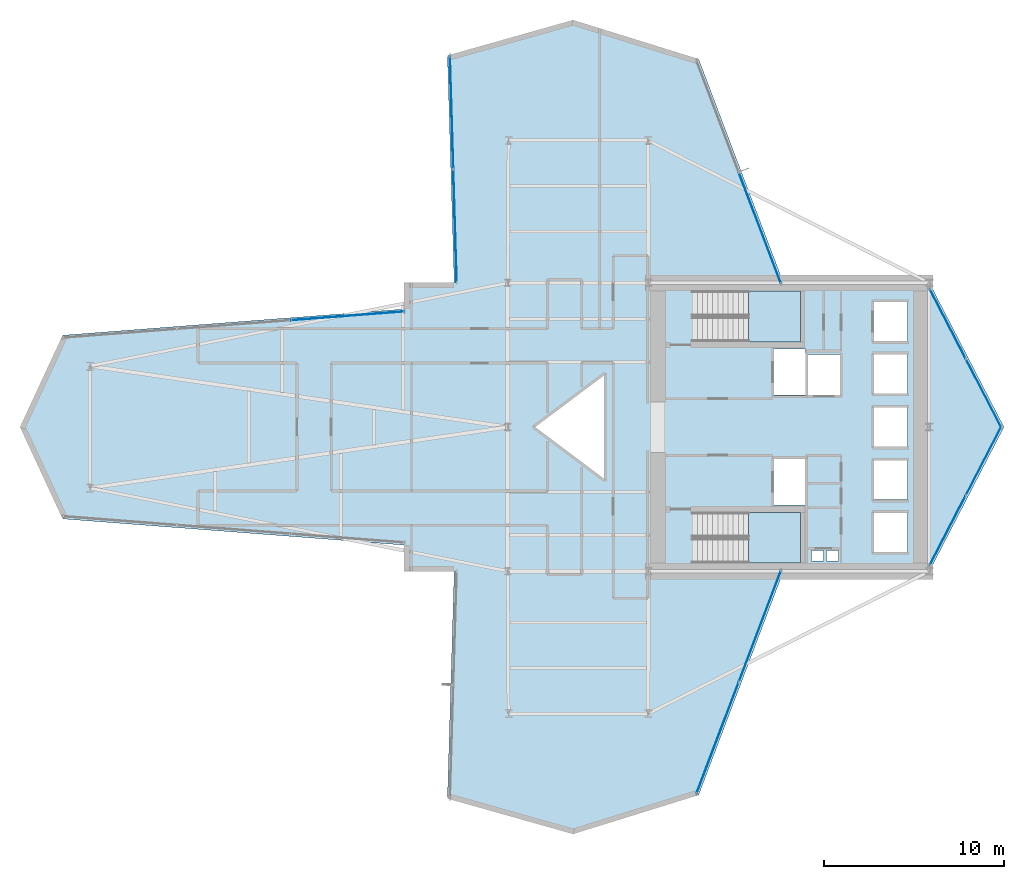
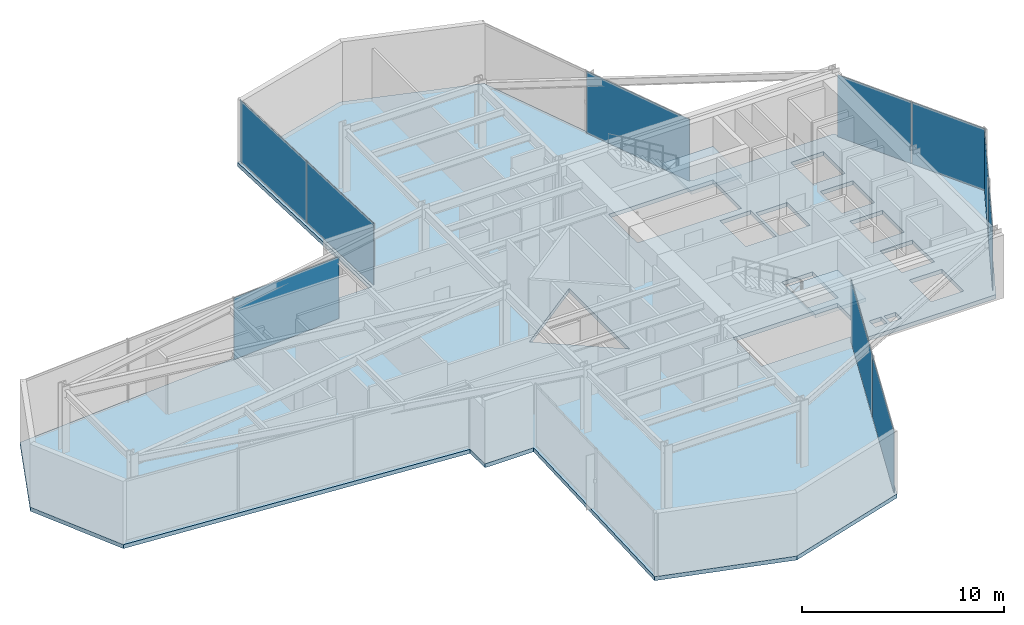
# One storey, part 24 of 29: 10 plates, 3 slabs, 8 elements without a shape of their own.
"""IFC4 building model written with IfcOpenShell, lengths in metres."""

from ifc_helpers import new_model, si_unit, direction, frame, origin, origin_2d, place, context, subcontext, project, spatial, polyline, rectangle, outline, extrude, material, layer, layer_set, type_object, element, aggregate, save


model = new_model("IFC4")

# Units and contexts
model_context = context("Model", 3, precision=1e-05, world=origin(), true_north=direction((0.0, 1.0)))
body_context = subcontext(model_context, "Body", "Model", "MODEL_VIEW")
ifc_project = project(units=[si_unit("LENGTHUNIT", "METRE"), si_unit("AREAUNIT", "SQUARE_METRE"), si_unit("VOLUMEUNIT", "CUBIC_METRE"), si_unit("PLANEANGLEUNIT", "RADIAN"), si_unit("MASSUNIT", "GRAM", prefix="KILO")], contexts=[model_context])

# Site, building, storey
site_placement = place(None, origin())
site = spatial("IfcSite", under=ifc_project, at=site_placement, CompositionType="ELEMENT")
building_placement = place(site_placement, origin())
building = spatial("IfcBuilding", under=site, at=building_placement, Name="Veymaron Broadcast Tower", CompositionType="ELEMENT")
storey_placement = place(building_placement, frame((0.0, 0.0, 41.85009765625)))
storey = spatial("IfcBuildingStorey", under=building, at=storey_placement, Name="L08", CompositionType="ELEMENT", Elevation=41.85009765625)

# Curtain wall, plates
ifc_material_1 = material(Name="Anodised aluminium AA 6063-T6 and laminated low-E dark glass", Category="aluminium")
ifc_layer_1 = layer(ifc_material_1, 0.179931640625)
ifc_layer_set_1 = layer_set([ifc_layer_1], Name="Anodised aluminium AA 6063-T6 and laminated low-E dark glass")
curtain_wall_type = type_object("IfcCurtainWallType", Name="CW-SYS-02", PredefinedType="NOTDEFINED", material=ifc_layer_set_1)
curtain_wall_1_placement = place(storey_placement, origin())
curtain_wall_1 = element("IfcCurtainWall", 1, at=curtain_wall_1_placement, inside=storey, type_object=curtain_wall_type, Name="L08 dark-glass curtain wall CW-L08-E2-1", PredefinedType="NOTDEFINED")
ifc_material_2 = material(Name="Double-silver solar-control dark glass IGU 32 mm", Category="glass")
ifc_layer_2 = layer(ifc_material_2, 0.031982421875)
ifc_layer_set_2 = layer_set([ifc_layer_2], Name="Double-silver solar-control dark glass IGU 32 mm")
plate_type = type_object("IfcPlateType", Name="CW-PNL-02", PredefinedType="CURTAIN_PANEL", material=ifc_layer_set_2)
plate_1_placement = place(storey_placement, frame((55.60888671875, 18.255615234375, 0.039794921875), z_axis=(0.0, 0.0, 1.0), x_axis=(0.459331828221, 0.88826475309, 0.0)))
plate_1 = element("IfcPlate", 2, at=plate_1_placement, type_object=plate_type, Name="CW-L08-E2-1 unitised curtain panel 0", PredefinedType="CURTAIN_PANEL", context=body_context, shape_type="SweptSolid", body=[
    extrude(rectangle(XDim=4.299560546875, YDim=0.031982421875, at=origin_2d()), origin(), (0.0, 0.0, 1.0), 3.72998046875),
])
plate_2_placement = place(storey_placement, frame((57.611328125, 22.128173828125, 0.039794921875), z_axis=(0.0, 0.0, 1.0), x_axis=(0.459331828221, 0.88826475309, 0.0)))
plate_2 = element("IfcPlate", 3, at=plate_2_placement, type_object=plate_type, Name="CW-L08-E2-1 unitised curtain panel 1", PredefinedType="CURTAIN_PANEL", context=body_context, shape_type="SweptSolid", body=[
    extrude(rectangle(XDim=4.299560546875, YDim=0.031982421875, at=origin_2d()), origin(), (0.0, 0.0, 1.0), 3.72998046875),
])
aggregate(curtain_wall_1, [plate_1, plate_2])

curtain_wall_2_placement = place(storey_placement, origin())
curtain_wall_2 = element("IfcCurtainWall", 4, at=curtain_wall_2_placement, inside=storey, type_object=curtain_wall_type, Name="L08 dark-glass curtain wall CW-L08-E3-1", PredefinedType="NOTDEFINED")
plate_3_placement = place(storey_placement, frame((57.611328125, 25.871826171875, 0.039794921875), z_axis=(0.0, 0.0, 1.0), x_axis=(-0.459331828221, 0.88826475309, 0.0)))
plate_3 = element("IfcPlate", 5, at=plate_3_placement, type_object=plate_type, Name="CW-L08-E3-1 unitised curtain panel 0", PredefinedType="CURTAIN_PANEL", context=body_context, shape_type="SweptSolid", body=[
    extrude(rectangle(XDim=4.299560546875, YDim=0.031982421875, at=origin_2d()), origin(), (0.0, 0.0, 1.0), 3.72998046875),
])
plate_4_placement = place(storey_placement, frame((55.60888671875, 29.744384765625, 0.039794921875), z_axis=(0.0, 0.0, 1.0), x_axis=(-0.459331828221, 0.88826475309, 0.0)))
plate_4 = element("IfcPlate", 6, at=plate_4_placement, type_object=plate_type, Name="CW-L08-E3-1 unitised curtain panel 1", PredefinedType="CURTAIN_PANEL", context=body_context, shape_type="SweptSolid", body=[
    extrude(rectangle(XDim=4.299560546875, YDim=0.031982421875, at=origin_2d()), origin(), (0.0, 0.0, 1.0), 3.72998046875),
])
aggregate(curtain_wall_2, [plate_3, plate_4])

# Curtain wall, plate
curtain_wall_3_placement = place(storey_placement, origin())
curtain_wall_3 = element("IfcCurtainWall", 7, at=curtain_wall_3_placement, inside=storey, type_object=curtain_wall_type, Name="L08 dark-glass curtain wall CW-L08-E5-1", PredefinedType="NOTDEFINED")
plate_5_placement = place(storey_placement, frame((45.1904296875, 35.053955078125, 0.039794921875), z_axis=(0.0, 0.0, 1.0), x_axis=(-0.354225752381, 0.935159941588, 0.0)))
plate_5 = element("IfcPlate", 8, at=plate_5_placement, type_object=plate_type, Name="CW-L08-E5-1 unitised curtain panel 0", PredefinedType="CURTAIN_PANEL", context=body_context, shape_type="SweptSolid", body=[
    extrude(rectangle(XDim=6.577392578125, YDim=0.031982421875, at=origin_2d()), origin(), (0.0, 0.0, 1.0), 3.72998046875),
])
aggregate(curtain_wall_3, [plate_5])

# Curtain wall, plates
curtain_wall_4_placement = place(storey_placement, origin())
curtain_wall_4 = element("IfcCurtainWall", 9, at=curtain_wall_4_placement, inside=storey, type_object=curtain_wall_type, Name="L08 dark-glass curtain wall CW-L08-E8-1", PredefinedType="NOTDEFINED")
plate_6_placement = place(storey_placement, frame((28.081298828125, 41.46240234375, 0.039794921875), z_axis=(0.0, 0.0, 1.0), x_axis=(0.029858145254, -0.999554146188, 0.0)))
plate_6 = element("IfcPlate", 10, at=plate_6_placement, type_object=plate_type, Name="CW-L08-E8-1 unitised curtain panel 0", PredefinedType="CURTAIN_PANEL", context=body_context, shape_type="SweptSolid", body=[
    extrude(rectangle(XDim=6.248291015625, YDim=0.031982421875, at=origin_2d()), origin(), (0.0, 0.0, 1.0), 3.72998046875),
])
plate_7_placement = place(storey_placement, frame((28.269775390625, 35.156982421875, 0.039794921875), z_axis=(0.0, 0.0, 1.0), x_axis=(0.029858145254, -0.999554146188, 0.0)))
plate_7 = element("IfcPlate", 11, at=plate_7_placement, type_object=plate_type, Name="CW-L08-E8-1 unitised curtain panel 1", PredefinedType="CURTAIN_PANEL", context=body_context, shape_type="SweptSolid", body=[
    extrude(rectangle(XDim=6.248291015625, YDim=0.031982421875, at=origin_2d()), origin(), (0.0, 0.0, 1.0), 3.72998046875),
])
aggregate(curtain_wall_4, [plate_6, plate_7])

# Curtain wall, plate
curtain_wall_5_placement = place(storey_placement, origin())
curtain_wall_5 = element("IfcCurtainWall", 12, at=curtain_wall_5_placement, inside=storey, type_object=curtain_wall_type, Name="L08 dark-glass curtain wall CW-L08-E11-1", PredefinedType="NOTDEFINED")
plate_8_placement = place(storey_placement, frame((22.30078125, 30.169677734375, 0.039794921875), z_axis=(0.0, 0.0, 1.0), x_axis=(-0.997062117783, -0.076597214581, 0.0)))
plate_8 = element("IfcPlate", 13, at=plate_8_placement, type_object=plate_type, Name="CW-L08-E11-1 unitised curtain panel 0", PredefinedType="CURTAIN_PANEL", context=body_context, shape_type="SweptSolid", body=[
    extrude(rectangle(XDim=6.274658203125, YDim=0.031982421875, at=origin_2d()), origin(), (0.0, 0.0, 1.0), 3.72998046875),
])
aggregate(curtain_wall_5, [plate_8])

# Curtain wall, plates
curtain_wall_6_placement = place(storey_placement, origin())
curtain_wall_6 = element("IfcCurtainWall", 14, at=curtain_wall_6_placement, inside=storey, type_object=curtain_wall_type, Name="L08 dark-glass curtain wall CW-L08-E20-1", PredefinedType="NOTDEFINED")
plate_9_placement = place(storey_placement, frame((42.83935546875, 6.739013671875, 0.039794921875), z_axis=(0.0, 0.0, 1.0), x_axis=(0.354225752381, 0.935159941588, 0.0)))
plate_9 = element("IfcPlate", 15, at=plate_9_placement, type_object=plate_type, Name="CW-L08-E20-1 unitised curtain panel 0", PredefinedType="CURTAIN_PANEL", context=body_context, shape_type="SweptSolid", body=[
    extrude(rectangle(XDim=6.577392578125, YDim=0.031982421875, at=origin_2d()), origin(), (0.0, 0.0, 1.0), 3.72998046875),
])
plate_10_placement = place(storey_placement, frame((45.1904296875, 12.946044921875, 0.039794921875), z_axis=(0.0, 0.0, 1.0), x_axis=(0.354225752381, 0.935159941588, 0.0)))
plate_10 = element("IfcPlate", 16, at=plate_10_placement, type_object=plate_type, Name="CW-L08-E20-1 unitised curtain panel 1", PredefinedType="CURTAIN_PANEL", context=body_context, shape_type="SweptSolid", body=[
    extrude(rectangle(XDim=6.577392578125, YDim=0.031982421875, at=origin_2d()), origin(), (0.0, 0.0, 1.0), 3.72998046875),
])
aggregate(curtain_wall_6, [plate_9, plate_10])

# Slab
ifc_material_3 = material(Name="Concrete C40/50", Category="concrete")
ifc_layer_3 = layer(ifc_material_3, 0.239990234375)
ifc_layer_set_3 = layer_set([ifc_layer_3], Name="Concrete C40/50")
slab_type_1 = type_object("IfcSlabType", Name="SLAB-FS6", PredefinedType="FLOOR", material=ifc_layer_set_3)
slab_1_placement = place(storey_placement, frame((0.0, 0.0, -0.239990234375)))
element("IfcSlab", 17, at=slab_1_placement, inside=storey, type_object=slab_type_1, Name="L08 structural floor slab", PredefinedType="FLOOR", context=body_context, shape_type="SweptSolid", body=[
    extrude(outline(polyline([(46.4970703125, 16.0), (54.60009765625, 16.0), (58.737060546875, 24.0), (54.60009765625, 32.0), (46.4970703125, 32.0), (41.794677734375, 44.4140625), (34.821044921875, 46.5810546875), (27.847412109375, 44.611083984375), (28.22412109375, 32.0), (25.447998046875, 32.0), (25.447998046875, 30.5517578125), (6.5, 29.09619140625), (4.135986328125, 24.0), (6.5, 18.90380859375), (25.447998046875, 17.4482421875), (25.447998046875, 16.0), (28.22412109375, 16.0), (27.847412109375, 3.388916015625), (34.821044921875, 1.4189453125), (41.794677734375, 3.5859375), (46.4970703125, 16.0)]), holes=[polyline([(45.969970703125, 28.330078125), (47.72998046875, 28.330078125), (47.72998046875, 25.77001953125), (45.969970703125, 25.77001953125), (45.969970703125, 28.330078125)]), polyline([(45.969970703125, 22.22998046875), (47.72998046875, 22.22998046875), (47.72998046875, 19.669921875), (45.969970703125, 19.669921875), (45.969970703125, 22.22998046875)]), polyline([(47.8701171875, 28.030029296875), (49.6298828125, 28.030029296875), (49.6298828125, 25.77001953125), (47.8701171875, 25.77001953125), (47.8701171875, 28.030029296875)]), polyline([(51.52001953125, 30.929931640625), (53.3798828125, 30.929931640625), (53.3798828125, 28.77001953125), (51.52001953125, 28.77001953125), (51.52001953125, 30.929931640625)]), polyline([(51.52001953125, 28.030029296875), (53.3798828125, 28.030029296875), (53.3798828125, 25.8701171875), (51.52001953125, 25.8701171875), (51.52001953125, 28.030029296875)]), polyline([(51.52001953125, 22.1298828125), (53.3798828125, 22.1298828125), (53.3798828125, 19.969970703125), (51.52001953125, 19.969970703125), (51.52001953125, 22.1298828125)]), polyline([(51.52001953125, 25.080078125), (53.3798828125, 25.080078125), (53.3798828125, 22.919921875), (51.52001953125, 22.919921875), (51.52001953125, 25.080078125)]), polyline([(51.52001953125, 19.22998046875), (53.3798828125, 19.22998046875), (53.3798828125, 17.070068359375), (51.52001953125, 17.070068359375), (51.52001953125, 19.22998046875)]), polyline([(48.050048828125, 17.159912109375), (48.719970703125, 17.159912109375), (48.719970703125, 16.56005859375), (48.050048828125, 16.56005859375), (48.050048828125, 17.159912109375)]), polyline([(48.8798828125, 17.159912109375), (49.550048828125, 17.159912109375), (49.550048828125, 16.56005859375), (48.8798828125, 16.56005859375), (48.8798828125, 17.159912109375)]), polyline([(36.60009765625, 27.0), (36.60009765625, 21.0), (32.60009765625, 24.0), (36.60009765625, 27.0)]), polyline([(41.489990234375, 31.550048828125), (47.43994140625, 31.550048828125), (47.43994140625, 28.72998046875), (41.489990234375, 28.72998046875), (41.489990234375, 31.550048828125)]), polyline([(41.489990234375, 19.27001953125), (47.43994140625, 19.27001953125), (47.43994140625, 16.449951171875), (41.489990234375, 16.449951171875), (41.489990234375, 19.27001953125)])]), origin(), (0.0, 0.0, 1.0), 0.239990234375),
])

# Stair, slab
ifc_material_4 = material(Name="Concrete C50/60", Category="concrete")
stair_type_1 = type_object("IfcStairType", Name="STAIR-CORE-1", PredefinedType="HALF_TURN_STAIR", material=ifc_material_4)
stair_1_placement = place(storey_placement, origin())
stair_1 = element("IfcStair", 18, at=stair_1_placement, inside=storey, type_object=stair_type_1, Name="L08 North protected dog-leg exit stair ST1", PredefinedType="HALF_TURN_STAIR")
ifc_layer_4 = layer(ifc_material_4, 0.199951171875)
ifc_layer_set_4 = layer_set([ifc_layer_4], Name="Concrete C50/60")
slab_type_2 = type_object("IfcSlabType", Name="SLAB-STAIR-LDG", PredefinedType="LANDING", material=ifc_layer_set_4)
slab_2_placement = place(storey_placement, frame((0.0, 0.0, 1.824951171875)))
slab_2 = element("IfcSlab", 19, at=slab_2_placement, type_object=slab_type_2, Name="ST1 landing 1", PredefinedType="LANDING", context=body_context, shape_type="SweptSolid", body=[
    extrude(outline(polyline([(44.56494140625, 28.72998046875), (47.43994140625, 28.72998046875), (47.43994140625, 31.550048828125), (44.56494140625, 31.550048828125), (44.56494140625, 28.72998046875)])), origin(), (0.0, 0.0, 1.0), 0.199951171875),
])
aggregate(stair_1, [slab_2])

stair_type_2 = type_object("IfcStairType", Name="STAIR-CORE-2", PredefinedType="HALF_TURN_STAIR", material=ifc_material_4)
stair_2_placement = place(storey_placement, origin())
stair_2 = element("IfcStair", 20, at=stair_2_placement, inside=storey, type_object=stair_type_2, Name="L08 South protected dog-leg exit stair ST2", PredefinedType="HALF_TURN_STAIR")
slab_3_placement = place(storey_placement, frame((0.0, 0.0, 1.824951171875)))
slab_3 = element("IfcSlab", 21, at=slab_3_placement, type_object=slab_type_2, Name="ST2 landing 1", PredefinedType="LANDING", context=body_context, shape_type="SweptSolid", body=[
    extrude(outline(polyline([(44.56494140625, 16.449951171875), (47.43994140625, 16.449951171875), (47.43994140625, 19.27001953125), (44.56494140625, 19.27001953125), (44.56494140625, 16.449951171875)])), origin(), (0.0, 0.0, 1.0), 0.199951171875),
])
aggregate(stair_2, [slab_3])

save(model, "model.ifc")
